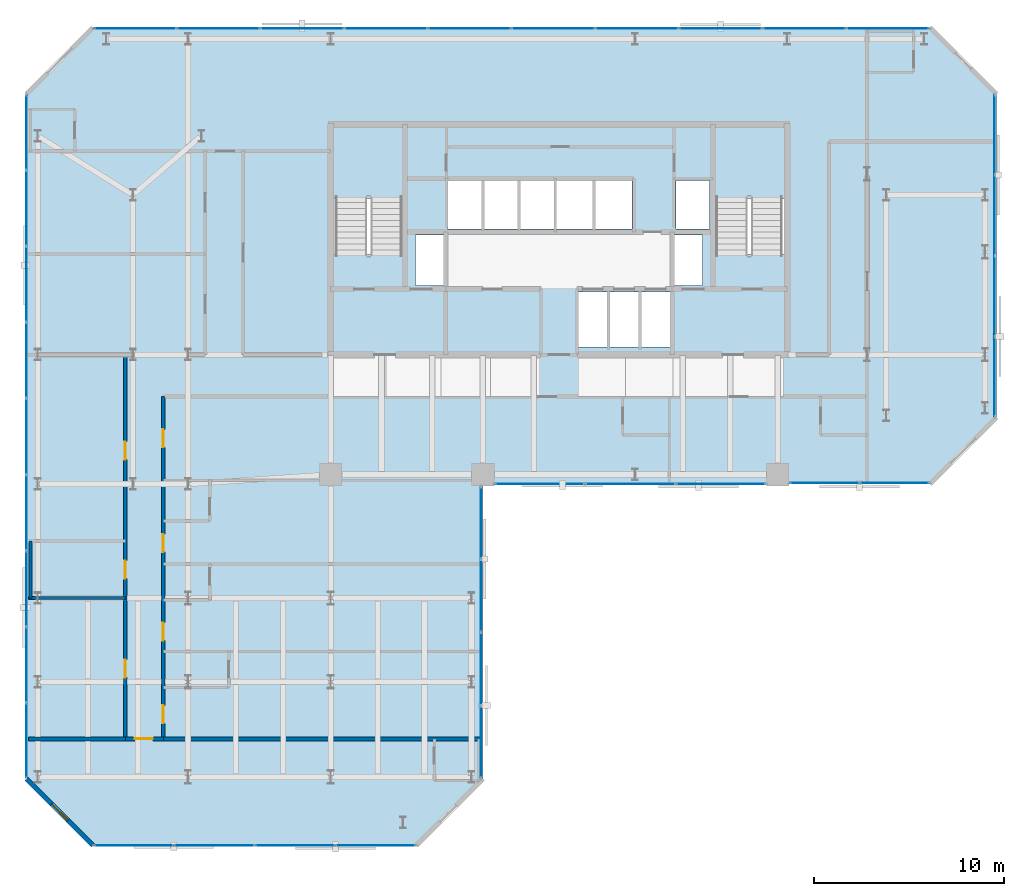
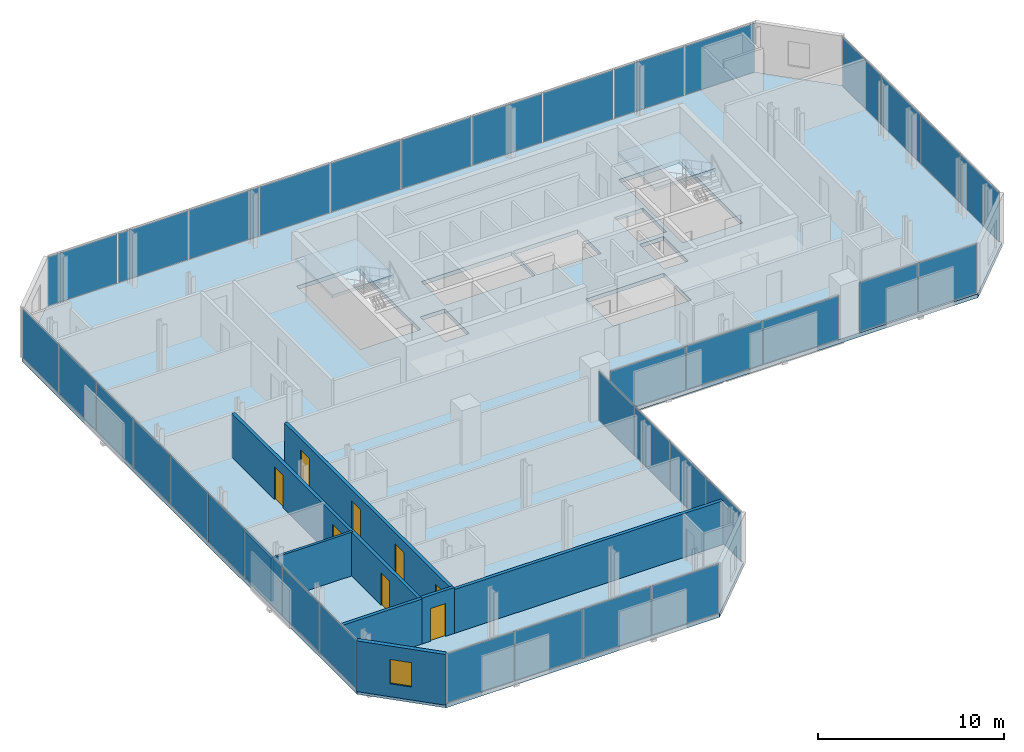
# One storey, part 27 of 32: 36 plates, 8 doors, 8 walls, 3 slabs, 1 window, 9 openings, 9 elements without a shape of their own.
"""IFC4 building model written with IfcOpenShell, lengths in metres."""

from ifc_helpers import new_model, si_unit, direction, frame, frame_2d, origin, origin_2d, place, context, subcontext, project, spatial, polyline, rectangle, outline, extrude, material, layer, layer_set, type_object, element, fill, aggregate, save


model = new_model("IFC4")

# Units and contexts
model_context = context("Model", 3, precision=1e-05, world=origin(), true_north=direction((0.0, 1.0)))
body_context = subcontext(model_context, "Body", "Model", "MODEL_VIEW")
ifc_project = project(units=[si_unit("LENGTHUNIT", "METRE"), si_unit("AREAUNIT", "SQUARE_METRE"), si_unit("VOLUMEUNIT", "CUBIC_METRE"), si_unit("PLANEANGLEUNIT", "RADIAN"), si_unit("MASSUNIT", "GRAM", prefix="KILO")], contexts=[model_context])

# Site, building, storey
site_placement = place(None, origin())
site = spatial("IfcSite", under=ifc_project, at=site_placement, CompositionType="ELEMENT")
building_placement = place(site_placement, origin())
building = spatial("IfcBuilding", under=site, at=building_placement, Name="Catumbela Crestline Tower", CompositionType="ELEMENT")
storey_placement = place(building_placement, frame((0.0, 0.0, 126.0)))
storey = spatial("IfcBuildingStorey", under=building, at=storey_placement, Name="L32", CompositionType="ELEMENT", Elevation=126.0)

# Curtain wall, plates
ifc_material_1 = material(Name="Aluminium alloy AW-6060-T66", Category="aluminium")
ifc_layer_1 = layer(ifc_material_1, 0.18, Name="Aluminium alloy AW-6060-T66")
ifc_layer_set_1 = layer_set([ifc_layer_1], Name="Aluminium alloy AW-6060-T66")
curtain_wall_type = type_object("IfcCurtainWallType", Name="CWU-Z2", PredefinedType="USERDEFINED", material=ifc_layer_set_1)
curtain_wall_1_placement = place(storey_placement, origin())
curtain_wall_1 = element("IfcCurtainWall", 1, at=curtain_wall_1_placement, inside=storey, type_object=curtain_wall_type, Name="L32 Unitised Curtain Wall CW-L32-E0S1", ObjectType="UNITISED", PredefinedType="USERDEFINED")
ifc_material_2 = material(Name="Low-E laminated solar-control double glazing", Category="glass")
ifc_layer_2 = layer(ifc_material_2, 0.036, Name="Low-E laminated solar-control double glazing")
ifc_layer_set_2 = layer_set([ifc_layer_2], Name="Low-E laminated solar-control double glazing")
plate_type = type_object("IfcPlateType", Name="PNL-GLZ-Z2", PredefinedType="CURTAIN_PANEL", material=ifc_layer_set_2)
plate_1_placement = place(storey_placement, frame((5.6412, 5.0, 0.06), z_axis=(0.0, 0.0, 1.0), x_axis=(1.0, 0.0, 0.0)))
plate_1 = element("IfcPlate", 2, at=plate_1_placement, type_object=plate_type, Name="CWU-Z2 panel 1.1", PredefinedType="CURTAIN_PANEL", context=body_context, shape_type="SweptSolid", body=[
    extrude(rectangle(XDim=4.1525, YDim=0.034, at=origin_2d()), origin(), (0.0, 0.0, 1.0), 3.21),
])
plate_2_placement = place(storey_placement, frame((9.875, 5.0, 0.06), z_axis=(0.0, 0.0, 1.0), x_axis=(1.0, 0.0, 0.0)))
plate_2 = element("IfcPlate", 3, at=plate_2_placement, type_object=plate_type, Name="CWU-Z2 panel 2.1", PredefinedType="CURTAIN_PANEL", context=body_context, shape_type="SweptSolid", body=[
    extrude(rectangle(XDim=4.185, YDim=0.034, at=origin_2d()), origin(), (0.0, 0.0, 1.0), 3.21),
])
plate_3_placement = place(storey_placement, frame((14.125, 5.0, 0.06), z_axis=(0.0, 0.0, 1.0), x_axis=(1.0, 0.0, 0.0)))
plate_3 = element("IfcPlate", 4, at=plate_3_placement, type_object=plate_type, Name="CWU-Z2 panel 3.1", PredefinedType="CURTAIN_PANEL", context=body_context, shape_type="SweptSolid", body=[
    extrude(rectangle(XDim=4.185, YDim=0.034, at=origin_2d()), origin(), (0.0, 0.0, 1.0), 3.21),
])
plate_4_placement = place(storey_placement, frame((18.3588, 5.0, 0.06), z_axis=(0.0, 0.0, 1.0), x_axis=(1.0, 0.0, 0.0)))
plate_4 = element("IfcPlate", 5, at=plate_4_placement, type_object=plate_type, Name="CWU-Z2 panel 4.1", PredefinedType="CURTAIN_PANEL", context=body_context, shape_type="SweptSolid", body=[
    extrude(rectangle(XDim=4.1525, YDim=0.034, at=origin_2d()), origin(), (0.0, 0.0, 1.0), 3.21),
])
aggregate(curtain_wall_1, [plate_1, plate_2, plate_3, plate_4])

curtain_wall_2_placement = place(storey_placement, origin())
curtain_wall_2 = element("IfcCurtainWall", 6, at=curtain_wall_2_placement, inside=storey, type_object=curtain_wall_type, Name="L32 Unitised Curtain Wall CW-L32-E2S1", ObjectType="UNITISED", PredefinedType="USERDEFINED")
plate_5_placement = place(storey_placement, frame((23.9, 10.4412, 0.06), z_axis=(0.0, 0.0, 1.0), x_axis=(0.0, 1.0, 0.0)))
plate_5 = element("IfcPlate", 7, at=plate_5_placement, type_object=plate_type, Name="CWU-Z2 panel 1.1", PredefinedType="CURTAIN_PANEL", context=body_context, shape_type="SweptSolid", body=[
    extrude(rectangle(XDim=3.7525, YDim=0.034, at=origin_2d()), origin(), (0.0, 0.0, 1.0), 3.21),
])
plate_6_placement = place(storey_placement, frame((23.9, 14.275, 0.06), z_axis=(0.0, 0.0, 1.0), x_axis=(0.0, 1.0, 0.0)))
plate_6 = element("IfcPlate", 8, at=plate_6_placement, type_object=plate_type, Name="CWU-Z2 panel 2.1", PredefinedType="CURTAIN_PANEL", context=body_context, shape_type="SweptSolid", body=[
    extrude(rectangle(XDim=3.785, YDim=0.034, at=origin_2d()), origin(), (0.0, 0.0, 1.0), 3.21),
])
plate_7_placement = place(storey_placement, frame((23.9, 18.125, 0.06), z_axis=(0.0, 0.0, 1.0), x_axis=(0.0, 1.0, 0.0)))
plate_7 = element("IfcPlate", 9, at=plate_7_placement, type_object=plate_type, Name="CWU-Z2 panel 3.1", PredefinedType="CURTAIN_PANEL", context=body_context, shape_type="SweptSolid", body=[
    extrude(rectangle(XDim=3.785, YDim=0.034, at=origin_2d()), origin(), (0.0, 0.0, 1.0), 3.21),
])
plate_8_placement = place(storey_placement, frame((23.9, 21.9587, 0.06), z_axis=(0.0, 0.0, 1.0), x_axis=(0.0, 1.0, 0.0)))
plate_8 = element("IfcPlate", 10, at=plate_8_placement, type_object=plate_type, Name="CWU-Z2 panel 4.1", PredefinedType="CURTAIN_PANEL", context=body_context, shape_type="SweptSolid", body=[
    extrude(rectangle(XDim=3.7525, YDim=0.034, at=origin_2d()), origin(), (0.0, 0.0, 1.0), 3.21),
])
aggregate(curtain_wall_2, [plate_5, plate_6, plate_7, plate_8])

curtain_wall_3_placement = place(storey_placement, origin())
curtain_wall_3 = element("IfcCurtainWall", 11, at=curtain_wall_3_placement, inside=storey, type_object=curtain_wall_type, Name="L32 Unitised Curtain Wall CW-L32-E3S1", ObjectType="UNITISED", PredefinedType="USERDEFINED")
plate_9_placement = place(storey_placement, frame((26.9996, 24.0, 0.06), z_axis=(0.0, 0.0, 1.0), x_axis=(1.0, 0.0, 0.0)))
plate_9 = element("IfcPlate", 12, at=plate_9_placement, type_object=plate_type, Name="CWU-Z2 panel 1.1", PredefinedType="CURTAIN_PANEL", context=body_context, shape_type="SweptSolid", body=[
    extrude(rectangle(XDim=4.6692, YDim=0.034, at=origin_2d()), origin(), (0.0, 0.0, 1.0), 2.84),
])
plate_10_placement = place(storey_placement, frame((31.75, 24.0, 0.06), z_axis=(0.0, 0.0, 1.0), x_axis=(1.0, 0.0, 0.0)))
plate_10 = element("IfcPlate", 13, at=plate_10_placement, type_object=plate_type, Name="CWU-Z2 panel 2.1", PredefinedType="CURTAIN_PANEL", context=body_context, shape_type="SweptSolid", body=[
    extrude(rectangle(XDim=4.7017, YDim=0.034, at=origin_2d()), origin(), (0.0, 0.0, 1.0), 2.84),
])
plate_11_placement = place(storey_placement, frame((36.5004, 24.0, 0.06), z_axis=(0.0, 0.0, 1.0), x_axis=(1.0, 0.0, 0.0)))
plate_11 = element("IfcPlate", 14, at=plate_11_placement, type_object=plate_type, Name="CWU-Z2 panel 3.1", PredefinedType="CURTAIN_PANEL", context=body_context, shape_type="SweptSolid", body=[
    extrude(rectangle(XDim=4.6692, YDim=0.034, at=origin_2d()), origin(), (0.0, 0.0, 1.0), 2.84),
])
aggregate(curtain_wall_3, [plate_9, plate_10, plate_11])

curtain_wall_4_placement = place(storey_placement, origin())
curtain_wall_4 = element("IfcCurtainWall", 15, at=curtain_wall_4_placement, inside=storey, type_object=curtain_wall_type, Name="L32 Unitised Curtain Wall CW-L32-E3S2", ObjectType="UNITISED", PredefinedType="USERDEFINED")
plate_12_placement = place(storey_placement, frame((41.9662, 24.05, 0.06), z_axis=(0.0, 0.0, 1.0), x_axis=(1.0, 0.0, 0.0)))
plate_12 = element("IfcPlate", 16, at=plate_12_placement, type_object=plate_type, Name="CWU-Z2 panel 1.1", PredefinedType="CURTAIN_PANEL", context=body_context, shape_type="SweptSolid", body=[
    extrude(rectangle(XDim=3.6025, YDim=0.034, at=origin_2d()), origin(), (0.0, 0.0, 1.0), 3.21),
])
plate_13_placement = place(storey_placement, frame((45.6338, 24.05, 0.06), z_axis=(0.0, 0.0, 1.0), x_axis=(1.0, 0.0, 0.0)))
plate_13 = element("IfcPlate", 17, at=plate_13_placement, type_object=plate_type, Name="CWU-Z2 panel 2.1", PredefinedType="CURTAIN_PANEL", context=body_context, shape_type="SweptSolid", body=[
    extrude(rectangle(XDim=3.6025, YDim=0.034, at=origin_2d()), origin(), (0.0, 0.0, 1.0), 3.21),
])
aggregate(curtain_wall_4, [plate_12, plate_13])

curtain_wall_5_placement = place(storey_placement, origin())
curtain_wall_5 = element("IfcCurtainWall", 18, at=curtain_wall_5_placement, inside=storey, type_object=curtain_wall_type, Name="L32 Unitised Curtain Wall CW-L32-E5S1", ObjectType="UNITISED", PredefinedType="USERDEFINED")
plate_14_placement = place(storey_placement, frame((50.9, 29.6412, 0.06), z_axis=(0.0, 0.0, 1.0), x_axis=(0.0, 1.0, 0.0)))
plate_14 = element("IfcPlate", 19, at=plate_14_placement, type_object=plate_type, Name="CWU-Z2 panel 1.1", PredefinedType="CURTAIN_PANEL", context=body_context, shape_type="SweptSolid", body=[
    extrude(rectangle(XDim=4.1525, YDim=0.034, at=origin_2d()), origin(), (0.0, 0.0, 1.0), 3.21),
])
plate_15_placement = place(storey_placement, frame((50.9, 33.875, 0.06), z_axis=(0.0, 0.0, 1.0), x_axis=(0.0, 1.0, 0.0)))
plate_15 = element("IfcPlate", 20, at=plate_15_placement, type_object=plate_type, Name="CWU-Z2 panel 2.1", PredefinedType="CURTAIN_PANEL", context=body_context, shape_type="SweptSolid", body=[
    extrude(rectangle(XDim=4.185, YDim=0.034, at=origin_2d()), origin(), (0.0, 0.0, 1.0), 3.21),
])
plate_16_placement = place(storey_placement, frame((50.9, 38.125, 0.06), z_axis=(0.0, 0.0, 1.0), x_axis=(0.0, 1.0, 0.0)))
plate_16 = element("IfcPlate", 21, at=plate_16_placement, type_object=plate_type, Name="CWU-Z2 panel 3.1", PredefinedType="CURTAIN_PANEL", context=body_context, shape_type="SweptSolid", body=[
    extrude(rectangle(XDim=4.185, YDim=0.034, at=origin_2d()), origin(), (0.0, 0.0, 1.0), 3.21),
])
plate_17_placement = place(storey_placement, frame((50.9, 42.3588, 0.06), z_axis=(0.0, 0.0, 1.0), x_axis=(0.0, 1.0, 0.0)))
plate_17 = element("IfcPlate", 22, at=plate_17_placement, type_object=plate_type, Name="CWU-Z2 panel 4.1", PredefinedType="CURTAIN_PANEL", context=body_context, shape_type="SweptSolid", body=[
    extrude(rectangle(XDim=4.1525, YDim=0.034, at=origin_2d()), origin(), (0.0, 0.0, 1.0), 3.21),
])
aggregate(curtain_wall_5, [plate_14, plate_15, plate_16, plate_17])

curtain_wall_6_placement = place(storey_placement, origin())
curtain_wall_6 = element("IfcCurtainWall", 23, at=curtain_wall_6_placement, inside=storey, type_object=curtain_wall_type, Name="L32 Unitised Curtain Wall CW-L32-E7S1", ObjectType="UNITISED", PredefinedType="USERDEFINED")
plate_18_placement = place(storey_placement, frame((45.2838, 47.95, 0.06), z_axis=(0.0, 0.0, 1.0), x_axis=(-1.0, 0.0, 0.0)))
plate_18 = element("IfcPlate", 24, at=plate_18_placement, type_object=plate_type, Name="CWU-Z2 panel 1.1", PredefinedType="CURTAIN_PANEL", context=body_context, shape_type="SweptSolid", body=[
    extrude(rectangle(XDim=4.3025, YDim=0.034, at=origin_2d()), origin(), (0.0, 0.0, 1.0), 3.21),
])
plate_19_placement = place(storey_placement, frame((40.9, 47.95, 0.06), z_axis=(0.0, 0.0, 1.0), x_axis=(-1.0, 0.0, 0.0)))
plate_19 = element("IfcPlate", 25, at=plate_19_placement, type_object=plate_type, Name="CWU-Z2 panel 2.1", PredefinedType="CURTAIN_PANEL", context=body_context, shape_type="SweptSolid", body=[
    extrude(rectangle(XDim=4.335, YDim=0.034, at=origin_2d()), origin(), (0.0, 0.0, 1.0), 3.21),
])
plate_20_placement = place(storey_placement, frame((36.5, 47.95, 0.06), z_axis=(0.0, 0.0, 1.0), x_axis=(-1.0, 0.0, 0.0)))
plate_20 = element("IfcPlate", 26, at=plate_20_placement, type_object=plate_type, Name="CWU-Z2 panel 3.1", PredefinedType="CURTAIN_PANEL", context=body_context, shape_type="SweptSolid", body=[
    extrude(rectangle(XDim=4.335, YDim=0.034, at=origin_2d()), origin(), (0.0, 0.0, 1.0), 3.21),
])
plate_21_placement = place(storey_placement, frame((32.1, 47.95, 0.06), z_axis=(0.0, 0.0, 1.0), x_axis=(-1.0, 0.0, 0.0)))
plate_21 = element("IfcPlate", 27, at=plate_21_placement, type_object=plate_type, Name="CWU-Z2 panel 4.1", PredefinedType="CURTAIN_PANEL", context=body_context, shape_type="SweptSolid", body=[
    extrude(rectangle(XDim=4.335, YDim=0.034, at=origin_2d()), origin(), (0.0, 0.0, 1.0), 3.21),
])
plate_22_placement = place(storey_placement, frame((27.7, 47.95, 0.06), z_axis=(0.0, 0.0, 1.0), x_axis=(-1.0, 0.0, 0.0)))
plate_22 = element("IfcPlate", 28, at=plate_22_placement, type_object=plate_type, Name="CWU-Z2 panel 5.1", PredefinedType="CURTAIN_PANEL", context=body_context, shape_type="SweptSolid", body=[
    extrude(rectangle(XDim=4.335, YDim=0.034, at=origin_2d()), origin(), (0.0, 0.0, 1.0), 3.21),
])
plate_23_placement = place(storey_placement, frame((23.3, 47.95, 0.06), z_axis=(0.0, 0.0, 1.0), x_axis=(-1.0, 0.0, 0.0)))
plate_23 = element("IfcPlate", 29, at=plate_23_placement, type_object=plate_type, Name="CWU-Z2 panel 6.1", PredefinedType="CURTAIN_PANEL", context=body_context, shape_type="SweptSolid", body=[
    extrude(rectangle(XDim=4.335, YDim=0.034, at=origin_2d()), origin(), (0.0, 0.0, 1.0), 3.21),
])
plate_24_placement = place(storey_placement, frame((18.9, 47.95, 0.06), z_axis=(0.0, 0.0, 1.0), x_axis=(-1.0, 0.0, 0.0)))
plate_24 = element("IfcPlate", 30, at=plate_24_placement, type_object=plate_type, Name="CWU-Z2 panel 7.1", PredefinedType="CURTAIN_PANEL", context=body_context, shape_type="SweptSolid", body=[
    extrude(rectangle(XDim=4.335, YDim=0.034, at=origin_2d()), origin(), (0.0, 0.0, 1.0), 3.21),
])
plate_25_placement = place(storey_placement, frame((14.5, 47.95, 0.06), z_axis=(0.0, 0.0, 1.0), x_axis=(-1.0, 0.0, 0.0)))
plate_25 = element("IfcPlate", 31, at=plate_25_placement, type_object=plate_type, Name="CWU-Z2 panel 8.1", PredefinedType="CURTAIN_PANEL", context=body_context, shape_type="SweptSolid", body=[
    extrude(rectangle(XDim=4.335, YDim=0.034, at=origin_2d()), origin(), (0.0, 0.0, 1.0), 3.21),
])
plate_26_placement = place(storey_placement, frame((10.1, 47.95, 0.06), z_axis=(0.0, 0.0, 1.0), x_axis=(-1.0, 0.0, 0.0)))
plate_26 = element("IfcPlate", 32, at=plate_26_placement, type_object=plate_type, Name="CWU-Z2 panel 9.1", PredefinedType="CURTAIN_PANEL", context=body_context, shape_type="SweptSolid", body=[
    extrude(rectangle(XDim=4.335, YDim=0.034, at=origin_2d()), origin(), (0.0, 0.0, 1.0), 3.21),
])
plate_27_placement = place(storey_placement, frame((5.7162, 47.95, 0.06), z_axis=(0.0, 0.0, 1.0), x_axis=(-1.0, 0.0, 0.0)))
plate_27 = element("IfcPlate", 33, at=plate_27_placement, type_object=plate_type, Name="CWU-Z2 panel 10.1", PredefinedType="CURTAIN_PANEL", context=body_context, shape_type="SweptSolid", body=[
    extrude(rectangle(XDim=4.3025, YDim=0.034, at=origin_2d()), origin(), (0.0, 0.0, 1.0), 3.21),
])
aggregate(curtain_wall_6, [plate_18, plate_19, plate_20, plate_21, plate_22, plate_23, plate_24, plate_25, plate_26, plate_27])

curtain_wall_7_placement = place(storey_placement, origin())
curtain_wall_7 = element("IfcCurtainWall", 34, at=curtain_wall_7_placement, inside=storey, type_object=curtain_wall_type, Name="L32 Unitised Curtain Wall CW-L32-E9S1", ObjectType="UNITISED", PredefinedType="USERDEFINED")
plate_28_placement = place(storey_placement, frame((0.0, 42.4838, 0.06), z_axis=(0.0, 0.0, 1.0), x_axis=(0.0, -1.0, 0.0)))
plate_28 = element("IfcPlate", 35, at=plate_28_placement, type_object=plate_type, Name="CWU-Z2 panel 1.1", PredefinedType="CURTAIN_PANEL", context=body_context, shape_type="SweptSolid", body=[
    extrude(rectangle(XDim=3.9025, YDim=0.034, at=origin_2d()), origin(), (0.0, 0.0, 1.0), 3.21),
])
plate_29_placement = place(storey_placement, frame((0.0, 38.5, 0.06), z_axis=(0.0, 0.0, 1.0), x_axis=(0.0, -1.0, 0.0)))
plate_29 = element("IfcPlate", 36, at=plate_29_placement, type_object=plate_type, Name="CWU-Z2 panel 2.1", PredefinedType="CURTAIN_PANEL", context=body_context, shape_type="SweptSolid", body=[
    extrude(rectangle(XDim=3.935, YDim=0.034, at=origin_2d()), origin(), (0.0, 0.0, 1.0), 3.21),
])
plate_30_placement = place(storey_placement, frame((0.0, 34.5, 0.06), z_axis=(0.0, 0.0, 1.0), x_axis=(0.0, -1.0, 0.0)))
plate_30 = element("IfcPlate", 37, at=plate_30_placement, type_object=plate_type, Name="CWU-Z2 panel 3.1", PredefinedType="CURTAIN_PANEL", context=body_context, shape_type="SweptSolid", body=[
    extrude(rectangle(XDim=3.935, YDim=0.034, at=origin_2d()), origin(), (0.0, 0.0, 1.0), 3.21),
])
plate_31_placement = place(storey_placement, frame((0.0, 30.5, 0.06), z_axis=(0.0, 0.0, 1.0), x_axis=(0.0, -1.0, 0.0)))
plate_31 = element("IfcPlate", 38, at=plate_31_placement, type_object=plate_type, Name="CWU-Z2 panel 4.1", PredefinedType="CURTAIN_PANEL", context=body_context, shape_type="SweptSolid", body=[
    extrude(rectangle(XDim=3.935, YDim=0.034, at=origin_2d()), origin(), (0.0, 0.0, 1.0), 3.21),
])
plate_32_placement = place(storey_placement, frame((0.0, 26.5, 0.06), z_axis=(0.0, 0.0, 1.0), x_axis=(0.0, -1.0, 0.0)))
plate_32 = element("IfcPlate", 39, at=plate_32_placement, type_object=plate_type, Name="CWU-Z2 panel 5.1", PredefinedType="CURTAIN_PANEL", context=body_context, shape_type="SweptSolid", body=[
    extrude(rectangle(XDim=3.935, YDim=0.034, at=origin_2d()), origin(), (0.0, 0.0, 1.0), 3.21),
])
plate_33_placement = place(storey_placement, frame((0.0, 22.5, 0.06), z_axis=(0.0, 0.0, 1.0), x_axis=(0.0, -1.0, 0.0)))
plate_33 = element("IfcPlate", 40, at=plate_33_placement, type_object=plate_type, Name="CWU-Z2 panel 6.1", PredefinedType="CURTAIN_PANEL", context=body_context, shape_type="SweptSolid", body=[
    extrude(rectangle(XDim=3.935, YDim=0.034, at=origin_2d()), origin(), (0.0, 0.0, 1.0), 3.21),
])
plate_34_placement = place(storey_placement, frame((0.0, 18.5, 0.06), z_axis=(0.0, 0.0, 1.0), x_axis=(0.0, -1.0, 0.0)))
plate_34 = element("IfcPlate", 41, at=plate_34_placement, type_object=plate_type, Name="CWU-Z2 panel 7.1", PredefinedType="CURTAIN_PANEL", context=body_context, shape_type="SweptSolid", body=[
    extrude(rectangle(XDim=3.935, YDim=0.034, at=origin_2d()), origin(), (0.0, 0.0, 1.0), 3.21),
])
plate_35_placement = place(storey_placement, frame((0.0, 14.5, 0.06), z_axis=(0.0, 0.0, 1.0), x_axis=(0.0, -1.0, 0.0)))
plate_35 = element("IfcPlate", 42, at=plate_35_placement, type_object=plate_type, Name="CWU-Z2 panel 8.1", PredefinedType="CURTAIN_PANEL", context=body_context, shape_type="SweptSolid", body=[
    extrude(rectangle(XDim=3.935, YDim=0.034, at=origin_2d()), origin(), (0.0, 0.0, 1.0), 3.21),
])
plate_36_placement = place(storey_placement, frame((0.0, 10.5162, 0.06), z_axis=(0.0, 0.0, 1.0), x_axis=(0.0, -1.0, 0.0)))
plate_36 = element("IfcPlate", 43, at=plate_36_placement, type_object=plate_type, Name="CWU-Z2 panel 9.1", PredefinedType="CURTAIN_PANEL", context=body_context, shape_type="SweptSolid", body=[
    extrude(rectangle(XDim=3.9025, YDim=0.034, at=origin_2d()), origin(), (0.0, 0.0, 1.0), 3.21),
])
aggregate(curtain_wall_7, [plate_28, plate_29, plate_30, plate_31, plate_32, plate_33, plate_34, plate_35, plate_36])

# Stair, slab
ifc_material_3 = material(Name="Concrete C45/55", Category="concrete")
stair_type = type_object("IfcStairType", Name="ST-DLG", PredefinedType="HALF_TURN_STAIR", material=ifc_material_3)
stair_1_placement = place(storey_placement, origin())
stair_1 = element("IfcStair", 44, at=stair_1_placement, inside=storey, type_object=stair_type, Name="L32 West Core Pressurised Exit Stair ST-01", PredefinedType="HALF_TURN_STAIR")
ifc_layer_3 = layer(ifc_material_3, 0.2, Name="Concrete C45/55")
ifc_layer_set_3 = layer_set([ifc_layer_3], Name="Concrete C45/55")
slab_type_1 = type_object("IfcSlabType", Name="SL-LND", PredefinedType="LANDING", material=ifc_layer_set_3)
slab_1_placement = place(storey_placement, frame((0.0, 0.0, 1.6)))
slab_1 = element("IfcSlab", 45, at=slab_1_placement, type_object=slab_type_1, Name="ST-01 landing 1", PredefinedType="LANDING", context=body_context, shape_type="SweptSolid", body=[
    extrude(outline(polyline([(19.91, 39.02), (19.91, 42.96), (16.09, 42.96), (16.09, 39.02), (19.91, 39.02)])), origin(), (0.0, 0.0, 1.0), 0.2),
])
aggregate(stair_1, [slab_1])

stair_2_placement = place(storey_placement, origin())
stair_2 = element("IfcStair", 46, at=stair_2_placement, inside=storey, type_object=stair_type, Name="L32 East Core Pressurised Exit Stair ST-02", PredefinedType="HALF_TURN_STAIR")
slab_2_placement = place(storey_placement, frame((0.0, 0.0, 1.6)))
slab_2 = element("IfcSlab", 47, at=slab_2_placement, type_object=slab_type_1, Name="ST-02 landing 1", PredefinedType="LANDING", context=body_context, shape_type="SweptSolid", body=[
    extrude(outline(polyline([(39.91, 39.02), (39.91, 42.96), (36.09, 42.96), (36.09, 39.02), (39.91, 39.02)])), origin(), (0.0, 0.0, 1.0), 0.2),
])
aggregate(stair_2, [slab_2])

# Slab
ifc_layer_4 = layer(ifc_material_3, 0.26, Name="Concrete C45/55")
ifc_layer_set_4 = layer_set([ifc_layer_4], Name="Concrete C45/55")
slab_type_2 = type_object("IfcSlabType", Name="SL-260", PredefinedType="FLOOR", material=ifc_layer_set_4)
slab_3_placement = place(storey_placement, frame((0.0, 0.0, -0.26)))
element("IfcSlab", 48, at=slab_3_placement, inside=storey, type_object=slab_type_2, Name="L32 Structural Floor Slab", PredefinedType="FLOOR", context=body_context, shape_type="SweptSolid", body=[
    extrude(outline(polyline([(3.5, 5.0), (20.5, 5.0), (24.0, 8.5), (24.0, 24.0), (47.5, 24.0), (51.0, 27.5), (51.0, 44.5), (47.5, 48.0), (3.5, 48.0), (0.0, 44.5), (0.0, 8.5), (3.5, 5.0)]), holes=[polyline([(16.13, 36.08), (19.87, 36.08), (19.87, 42.92), (16.13, 42.92), (16.13, 36.08)]), polyline([(36.13, 36.08), (39.87, 36.08), (39.87, 42.92), (36.13, 42.92), (36.13, 36.08)]), polyline([(29.0, 31.2), (33.85, 31.2), (33.85, 34.1), (29.0, 34.1), (29.0, 31.2)]), polyline([(22.15, 37.4), (27.75, 37.4), (27.75, 39.95), (22.15, 39.95), (22.15, 37.4)]), polyline([(27.85, 37.4), (31.85, 37.4), (31.85, 39.95), (27.85, 39.95), (27.85, 37.4)]), polyline([(20.45, 34.45), (21.95, 34.45), (21.95, 37.1), (20.45, 37.1), (20.45, 34.45)]), polyline([(34.05, 34.45), (35.55, 34.45), (35.55, 37.1), (34.05, 37.1), (34.05, 34.45)]), polyline([(34.15, 37.4), (35.9, 37.4), (35.9, 39.95), (34.15, 39.95), (34.15, 37.4)])]), origin(), (0.0, 0.0, 1.0), 0.26),
])

# Wall, openings, doors
ifc_material_4 = material(Name="Acoustic gypsum and mineral-wool partition")
ifc_layer_5 = layer(ifc_material_4, 0.2, Name="Acoustic gypsum and mineral-wool partition")
ifc_layer_set_5 = layer_set([ifc_layer_5], Name="Acoustic gypsum and mineral-wool partition")
wall_type_1 = type_object("IfcWallType", Name="WC-200", PredefinedType="PARTITIONING", material=ifc_layer_set_5)
wall_1_placement = place(storey_placement, frame((5.2, 10.6, 0.0), z_axis=(0.0, 0.0, 1.0), x_axis=(0.0, 1.0, 0.0)))
wall_1 = element("IfcWall", 49, at=wall_1_placement, inside=storey, type_object=wall_type_1, Name="L32 Interior Partition PW-L32-STWC-ENT", PredefinedType="PARTITIONING", context=body_context, shape_type="SweptSolid", body=[
    extrude(rectangle(XDim=20.2, YDim=0.2, at=frame_2d((10.1, 0.0))), origin(), (0.0, 0.0, 1.0), 2.87),
])
opening_1_placement = place(wall_1_placement, frame((8.425, 0.0, 0.0)))
opening_1 = element("IfcOpeningElement", 50, at=opening_1_placement, cuts=wall_1, Name="Opening DF6-095", PredefinedType="OPENING", context=body_context, shape_type="SweptSolid", body=[
    extrude(rectangle(XDim=0.95, YDim=2.15, at=frame_2d((0.475, 1.075))), frame((0.0, 0.11, 0.0), z_axis=(0.0, -1.0, 0.0), x_axis=(1.0, 0.0, 0.0)), (0.0, 0.0, 1.0), 0.22),
])
opening_2_placement = place(wall_1_placement, frame((14.6795, 0.0, 0.0)))
opening_2 = element("IfcOpeningElement", 51, at=opening_2_placement, cuts=wall_1, Name="Opening DF6-095", PredefinedType="OPENING", context=body_context, shape_type="SweptSolid", body=[
    extrude(rectangle(XDim=0.95, YDim=2.15, at=frame_2d((0.475, 1.075))), frame((0.0, 0.11, 0.0), z_axis=(0.0, -1.0, 0.0), x_axis=(1.0, 0.0, 0.0)), (0.0, 0.0, 1.0), 0.22),
])
opening_3_placement = place(wall_1_placement, frame((3.225, 0.0, 0.0)))
opening_3 = element("IfcOpeningElement", 52, at=opening_3_placement, cuts=wall_1, Name="Opening DF6-095", PredefinedType="OPENING", context=body_context, shape_type="SweptSolid", body=[
    extrude(rectangle(XDim=0.95, YDim=2.15, at=frame_2d((0.475, 1.075))), frame((0.0, 0.11, 0.0), z_axis=(0.0, -1.0, 0.0), x_axis=(1.0, 0.0, 0.0)), (0.0, 0.0, 1.0), 0.22),
])
door_type = type_object("IfcDoorType", Name="DF6-095", OperationType="NOTDEFINED", PredefinedType="DOOR", material=ifc_material_1)
door_1_placement = place(opening_1_placement, origin())
door_1 = element("IfcDoor", 53, at=door_1_placement, inside=storey, type_object=door_type, Name="L32 Interior Door DR-L32-STWC-ENT", OperationType="SINGLE_SWING_RIGHT", OverallHeight=2.15, OverallWidth=0.95, PredefinedType="DOOR", context=body_context, shape_type="SweptSolid", body=[
    extrude(rectangle(XDim=0.95, YDim=2.15, at=frame_2d((0.475, 1.075))), frame((0.0, 0.025, 0.0), z_axis=(0.0, -1.0, 0.0), x_axis=(1.0, 0.0, 0.0)), (0.0, 0.0, 1.0), 0.05),
])
fill(opening_1, door_1)
door_2_placement = place(opening_2_placement, origin())
door_2 = element("IfcDoor", 54, at=door_2_placement, inside=storey, type_object=door_type, Name="L32 Interior Door DR-L32-HKP-ENT", OperationType="SINGLE_SWING_RIGHT", OverallHeight=2.15, OverallWidth=0.95, PredefinedType="DOOR", context=body_context, shape_type="SweptSolid", body=[
    extrude(rectangle(XDim=0.95, YDim=2.15, at=frame_2d((0.475, 1.075))), frame((0.0, 0.025, 0.0), z_axis=(0.0, -1.0, 0.0), x_axis=(1.0, 0.0, 0.0)), (0.0, 0.0, 1.0), 0.05),
])
fill(opening_2, door_2)
door_3_placement = place(opening_3_placement, origin())
door_3 = element("IfcDoor", 55, at=door_3_placement, inside=storey, type_object=door_type, Name="L32 Interior Door DR-L32-WEXT-ENT", OperationType="SINGLE_SWING_LEFT", OverallHeight=2.15, OverallWidth=0.95, PredefinedType="DOOR", context=body_context, shape_type="SweptSolid", body=[
    extrude(rectangle(XDim=0.95, YDim=2.15, at=frame_2d((0.475, 1.075))), frame((0.0, 0.025, 0.0), z_axis=(0.0, -1.0, 0.0), x_axis=(1.0, 0.0, 0.0)), (0.0, 0.0, 1.0), 0.05),
])
fill(opening_3, door_3)

# Wall, opening, door
wall_2_placement = place(storey_placement, frame((5.2, 10.6, 0.0), z_axis=(0.0, 0.0, 1.0), x_axis=(1.0, 0.0, 0.0)))
wall_2 = element("IfcWall", 56, at=wall_2_placement, inside=storey, type_object=wall_type_1, Name="L32 Interior Partition PW-L32-STIP-ENT", PredefinedType="PARTITIONING", context=body_context, shape_type="SweptSolid", body=[
    extrude(rectangle(XDim=2.0, YDim=0.2, at=frame_2d((1.0, 0.0))), origin(), (0.0, 0.0, 1.0), 3.01),
])
opening_4_placement = place(wall_2_placement, frame((0.5025, 0.0, 0.0)))
opening_4 = element("IfcOpeningElement", 57, at=opening_4_placement, cuts=wall_2, Name="Opening DF6-095", PredefinedType="OPENING", context=body_context, shape_type="SweptSolid", body=[
    extrude(rectangle(XDim=0.95, YDim=2.15, at=frame_2d((0.475, 1.075))), frame((0.0, 0.11, 0.0), z_axis=(0.0, -1.0, 0.0), x_axis=(1.0, 0.0, 0.0)), (0.0, 0.0, 1.0), 0.22),
])
door_4_placement = place(opening_4_placement, origin())
door_4 = element("IfcDoor", 58, at=door_4_placement, inside=storey, type_object=door_type, Name="L32 Interior Door DR-L32-STIP-ENT", OperationType="SINGLE_SWING_LEFT", OverallHeight=2.15, OverallWidth=0.95, PredefinedType="DOOR", context=body_context, shape_type="SweptSolid", body=[
    extrude(rectangle(XDim=0.95, YDim=2.15, at=frame_2d((0.475, 1.075))), frame((0.0, 0.025, 0.0), z_axis=(0.0, -1.0, 0.0), x_axis=(1.0, 0.0, 0.0)), (0.0, 0.0, 1.0), 0.05),
])
fill(opening_4, door_4)

# Wall, openings, doors
wall_3_placement = place(storey_placement, frame((7.2, 10.6, 0.0), z_axis=(0.0, 0.0, 1.0), x_axis=(0.0, 1.0, 0.0)))
wall_3 = element("IfcWall", 59, at=wall_3_placement, inside=storey, type_object=wall_type_1, Name="L32 Interior Partition PW-L32-SW1-ENT", PredefinedType="PARTITIONING", context=body_context, shape_type="SweptSolid", body=[
    extrude(rectangle(XDim=18.0, YDim=0.2, at=frame_2d((9.0, 0.0))), origin(), (0.0, 0.0, 1.0), 2.87),
])
opening_5_placement = place(wall_3_placement, frame((0.8175, 0.0, 0.0)))
opening_5 = element("IfcOpeningElement", 60, at=opening_5_placement, cuts=wall_3, Name="Opening DF6-095", PredefinedType="OPENING", context=body_context, shape_type="SweptSolid", body=[
    extrude(rectangle(XDim=0.95, YDim=2.15, at=frame_2d((0.475, 1.075))), frame((0.0, 0.11, 0.0), z_axis=(0.0, -1.0, 0.0), x_axis=(1.0, 0.0, 0.0)), (0.0, 0.0, 1.0), 0.22),
])
opening_6_placement = place(wall_3_placement, frame((5.1686, 0.0, 0.0)))
opening_6 = element("IfcOpeningElement", 61, at=opening_6_placement, cuts=wall_3, Name="Opening DF6-095", PredefinedType="OPENING", context=body_context, shape_type="SweptSolid", body=[
    extrude(rectangle(XDim=0.95, YDim=2.15, at=frame_2d((0.475, 1.075))), frame((0.0, 0.11, 0.0), z_axis=(0.0, -1.0, 0.0), x_axis=(1.0, 0.0, 0.0)), (0.0, 0.0, 1.0), 0.22),
])
opening_7_placement = place(wall_3_placement, frame((9.815, 0.0, 0.0)))
opening_7 = element("IfcOpeningElement", 62, at=opening_7_placement, cuts=wall_3, Name="Opening DF6-095", PredefinedType="OPENING", context=body_context, shape_type="SweptSolid", body=[
    extrude(rectangle(XDim=0.95, YDim=2.15, at=frame_2d((0.475, 1.075))), frame((0.0, 0.11, 0.0), z_axis=(0.0, -1.0, 0.0), x_axis=(1.0, 0.0, 0.0)), (0.0, 0.0, 1.0), 0.22),
])
opening_8_placement = place(wall_3_placement, frame((15.325, 0.0, 0.0)))
opening_8 = element("IfcOpeningElement", 63, at=opening_8_placement, cuts=wall_3, Name="Opening DF6-095", PredefinedType="OPENING", context=body_context, shape_type="SweptSolid", body=[
    extrude(rectangle(XDim=0.95, YDim=2.15, at=frame_2d((0.475, 1.075))), frame((0.0, 0.11, 0.0), z_axis=(0.0, -1.0, 0.0), x_axis=(1.0, 0.0, 0.0)), (0.0, 0.0, 1.0), 0.22),
])
door_5_placement = place(opening_5_placement, origin())
door_5 = element("IfcDoor", 64, at=door_5_placement, inside=storey, type_object=door_type, Name="L32 Interior Door DR-L32-SW1-ENT", OperationType="SINGLE_SWING_RIGHT", OverallHeight=2.15, OverallWidth=0.95, PredefinedType="DOOR", context=body_context, shape_type="SweptSolid", body=[
    extrude(rectangle(XDim=0.95, YDim=2.15, at=frame_2d((0.475, 1.075))), frame((0.0, 0.025, 0.0), z_axis=(0.0, -1.0, 0.0), x_axis=(1.0, 0.0, 0.0)), (0.0, 0.0, 1.0), 0.05),
])
fill(opening_5, door_5)
door_6_placement = place(opening_6_placement, origin())
door_6 = element("IfcDoor", 65, at=door_6_placement, inside=storey, type_object=door_type, Name="L32 Interior Door DR-L32-SW2-ENT", OperationType="SINGLE_SWING_LEFT", OverallHeight=2.15, OverallWidth=0.95, PredefinedType="DOOR", context=body_context, shape_type="SweptSolid", body=[
    extrude(rectangle(XDim=0.95, YDim=2.15, at=frame_2d((0.475, 1.075))), frame((0.0, 0.025, 0.0), z_axis=(0.0, -1.0, 0.0), x_axis=(1.0, 0.0, 0.0)), (0.0, 0.0, 1.0), 0.05),
])
fill(opening_6, door_6)
door_7_placement = place(opening_7_placement, origin())
door_7 = element("IfcDoor", 66, at=door_7_placement, inside=storey, type_object=door_type, Name="L32 Interior Door DR-L32-SW3-ENT", OperationType="SINGLE_SWING_RIGHT", OverallHeight=2.15, OverallWidth=0.95, PredefinedType="DOOR", context=body_context, shape_type="SweptSolid", body=[
    extrude(rectangle(XDim=0.95, YDim=2.15, at=frame_2d((0.475, 1.075))), frame((0.0, 0.025, 0.0), z_axis=(0.0, -1.0, 0.0), x_axis=(1.0, 0.0, 0.0)), (0.0, 0.0, 1.0), 0.05),
])
fill(opening_7, door_7)
door_8_placement = place(opening_8_placement, origin())
door_8 = element("IfcDoor", 67, at=door_8_placement, inside=storey, type_object=door_type, Name="L32 Interior Door DR-L32-SW4-ENT", OperationType="SINGLE_SWING_LEFT", OverallHeight=2.15, OverallWidth=0.95, PredefinedType="DOOR", context=body_context, shape_type="SweptSolid", body=[
    extrude(rectangle(XDim=0.95, YDim=2.15, at=frame_2d((0.475, 1.075))), frame((0.0, 0.025, 0.0), z_axis=(0.0, -1.0, 0.0), x_axis=(1.0, 0.0, 0.0)), (0.0, 0.0, 1.0), 0.05),
])
fill(opening_8, door_8)

# Wall, opening, window
ifc_material_5 = material(Name="Angolan grey-ochre granite", Category="masonry")
ifc_layer_6 = layer(ifc_material_5, 0.25, Name="Angolan grey-ochre granite")
ifc_layer_set_6 = layer_set([ifc_layer_6], Name="Angolan grey-ochre granite")
wall_type_2 = type_object("IfcWallType", Name="WE-250", PredefinedType="STANDARD", material=ifc_layer_set_6)
wall_4_placement = place(storey_placement, frame((0.0, 8.5, 0.0), z_axis=(0.0, 0.0, 1.0), x_axis=(0.707106781187, -0.707106781187, 0.0)))
wall_4 = element("IfcWall", 68, at=wall_4_placement, inside=storey, type_object=wall_type_2, Name="L32 Granite Punched Window Wall 10-1", PredefinedType="STANDARD", context=body_context, shape_type="SweptSolid", body=[
    extrude(rectangle(XDim=4.9497, YDim=0.25, at=frame_2d((2.4748, 0.0))), origin(), (0.0, 0.0, 1.0), 3.33),
])
opening_9_placement = place(wall_4_placement, frame((1.8748, 0.0, 0.85)))
opening_9 = element("IfcOpeningElement", 69, at=opening_9_placement, cuts=wall_4, Name="Opening WN-02", PredefinedType="OPENING", context=body_context, shape_type="SweptSolid", body=[
    extrude(rectangle(XDim=1.2, YDim=1.6, at=frame_2d((0.6, 0.8))), frame((0.0, 0.135, 0.0), z_axis=(0.0, -1.0, 0.0), x_axis=(1.0, 0.0, 0.0)), (0.0, 0.0, 1.0), 0.27),
])
window_type = type_object("IfcWindowType", Name="WO-1200", PartitioningType="SINGLE_PANEL", PredefinedType="WINDOW", material=ifc_material_2)
window_placement = place(opening_9_placement, origin())
window = element("IfcWindow", 70, at=window_placement, inside=storey, type_object=window_type, Name="L32 Facade Vision Window 184", OverallHeight=1.6, OverallWidth=1.2, PartitioningType="SINGLE_PANEL", PredefinedType="WINDOW", context=body_context, shape_type="SweptSolid", body=[
    extrude(rectangle(XDim=1.2, YDim=1.6, at=frame_2d((0.6, 0.8))), frame((0.0, 0.03, 0.0), z_axis=(0.0, -1.0, 0.0), x_axis=(1.0, 0.0, 0.0)), (0.0, 0.0, 1.0), 0.06),
])
fill(opening_9, window)

# Walls
ifc_layer_7 = layer(ifc_material_4, 0.15, Name="Acoustic gypsum and mineral-wool partition")
ifc_layer_set_7 = layer_set([ifc_layer_7], Name="Acoustic gypsum and mineral-wool partition")
wall_type_3 = type_object("IfcWallType", Name="WP-150", PredefinedType="PARTITIONING", material=ifc_layer_set_7)
wall_5_placement = place(storey_placement, frame((0.1, 18.0, 0.0), z_axis=(0.0, 0.0, 1.0), x_axis=(1.0, 0.0, 0.0)))
element("IfcWall", 71, at=wall_5_placement, inside=storey, type_object=wall_type_3, Name="L32 Interior Partition PW-L32-Z2W-1", PredefinedType="PARTITIONING", context=body_context, shape_type="SweptSolid", body=[
    extrude(rectangle(XDim=5.1, YDim=0.15, at=frame_2d((2.55, 0.0))), origin(), (0.0, 0.0, 1.0), 2.87),
])
wall_6_placement = place(storey_placement, frame((0.22, 18.0, 0.0), z_axis=(0.0, 0.0, 1.0), x_axis=(0.0, 1.0, 0.0)))
element("IfcWall", 72, at=wall_6_placement, inside=storey, type_object=wall_type_3, Name="L32 Interior Partition PW-L32-STWC-BCL-2", PredefinedType="PARTITIONING", context=body_context, shape_type="SweptSolid", body=[
    extrude(rectangle(XDim=3.0, YDim=0.15, at=frame_2d((1.5, 0.0))), origin(), (0.0, 0.0, 1.0), 2.87),
])
ifc_layer_8 = layer(ifc_material_4, 0.2, Name="Acoustic gypsum and mineral-wool partition")
ifc_layer_set_8 = layer_set([ifc_layer_8], Name="Acoustic gypsum and mineral-wool partition")
wall_type_4 = type_object("IfcWallType", Name="WY-200", PredefinedType="PARTITIONING", material=ifc_layer_set_8)
wall_7_placement = place(storey_placement, frame((0.1, 10.6, 0.0), z_axis=(0.0, 0.0, 1.0), x_axis=(1.0, 0.0, 0.0)))
element("IfcWall", 73, at=wall_7_placement, inside=storey, type_object=wall_type_4, Name="L32 Interior Partition PW-L32-STIP-WL", PredefinedType="PARTITIONING", context=body_context, shape_type="SweptSolid", body=[
    extrude(rectangle(XDim=5.1, YDim=0.2, at=frame_2d((2.55, 0.0))), origin(), (0.0, 0.0, 1.0), 2.96),
])
wall_8_placement = place(storey_placement, frame((7.2, 10.6, 0.0), z_axis=(0.0, 0.0, 1.0), x_axis=(1.0, 0.0, 0.0)))
element("IfcWall", 74, at=wall_8_placement, inside=storey, type_object=wall_type_4, Name="L32 Interior Partition PW-L32-STIP-WR", PredefinedType="PARTITIONING", context=body_context, shape_type="SweptSolid", body=[
    extrude(rectangle(XDim=16.7, YDim=0.2, at=frame_2d((8.35, 0.0))), origin(), (0.0, 0.0, 1.0), 2.87),
])

save(model, "model.ifc")
